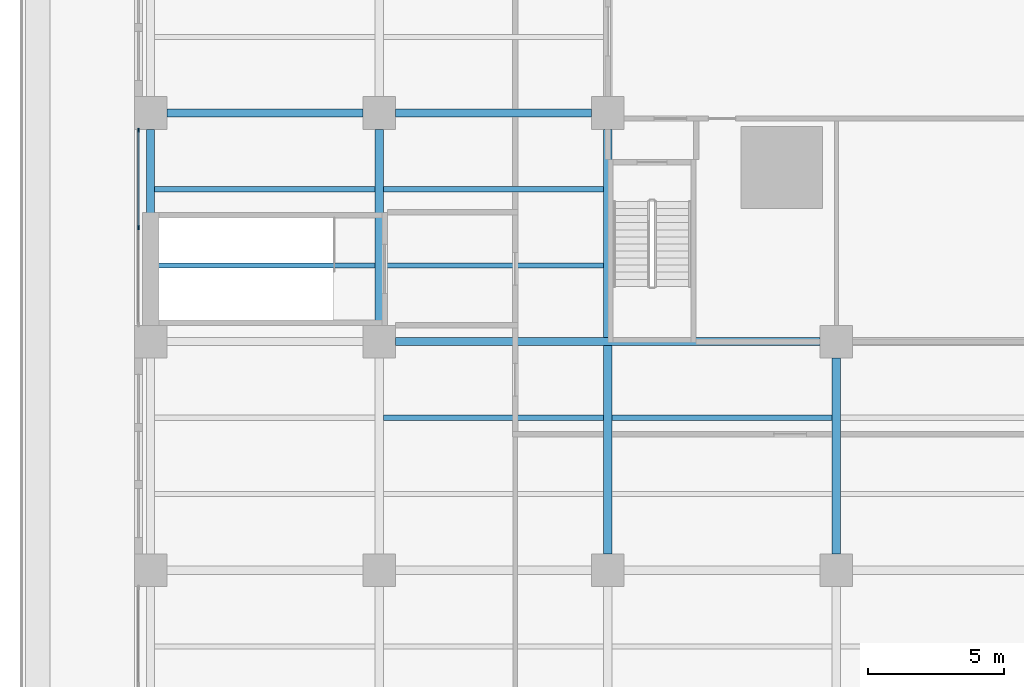
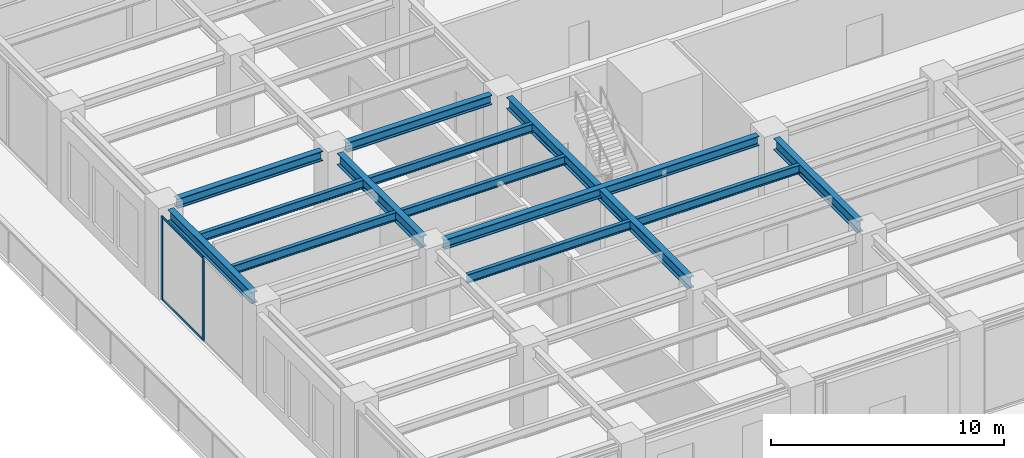
# One storey, part 3 of 53: 13 beams, 4 members, 1 element without a shape of its own.
"""IFC4 building model written with IfcOpenShell, lengths in metres."""

from ifc_helpers import new_model, si_unit, direction, frame, origin, origin_2d, place, context, subcontext, project, spatial, rectangle, i_section, extrude, material, material_profile, profile_set, type_object, element, aggregate, save


model = new_model("IFC4")

# Units and contexts
model_context = context("Model", 3, precision=1e-05, world=origin(), true_north=direction((0.0, 1.0)))
body_context = subcontext(model_context, "Body", "Model", "MODEL_VIEW")
ifc_project = project(units=[si_unit("LENGTHUNIT", "METRE"), si_unit("AREAUNIT", "SQUARE_METRE"), si_unit("VOLUMEUNIT", "CUBIC_METRE"), si_unit("PLANEANGLEUNIT", "RADIAN"), si_unit("MASSUNIT", "GRAM", prefix="KILO")], contexts=[model_context])

# Site, building, storey
site_placement = place(None, origin())
site = spatial("IfcSite", under=ifc_project, at=site_placement, CompositionType="ELEMENT")
building_placement = place(site_placement, origin())
building = spatial("IfcBuilding", under=site, at=building_placement, Name="Khepri Terraces", CompositionType="ELEMENT")
storey_placement = place(building_placement, frame((0.0, 0.0, 7.199951171875)))
storey = spatial("IfcBuildingStorey", under=building, at=storey_placement, Name="L01", CompositionType="ELEMENT", Elevation=7.199951171875)

# Curtain wall, members
ifc_material_1 = material(Name="Anodised aluminium bronze curtain wall", Category="aluminium")
curtain_wall_type = type_object("IfcCurtainWallType", Name="CW-SYS2-PODIUM", PredefinedType="NOTDEFINED", material=ifc_material_1)
curtain_wall_placement = place(storey_placement, origin())
curtain_wall = element("IfcCurtainWall", 1, at=curtain_wall_placement, inside=storey, type_object=curtain_wall_type, Name="Curtain wall CW2 L01 W", PredefinedType="NOTDEFINED")
ifc_material_2 = material(Name="Anodised aluminium bronze", Category="aluminium")
ifc_material_profile_1 = material_profile(ifc_material_2, rectangle(XDim=0.06005859375, YDim=0.159912109375, at=origin_2d()), Name="Anodised aluminium bronze", Category="aluminium")
ifc_profile_set_1 = profile_set([ifc_material_profile_1], Name="Anodised aluminium bronze")
member_type_1 = type_object("IfcMemberType", Name="CW-MULLION-60x160", PredefinedType="MULLION", material=ifc_profile_set_1)
member_1_placement = place(storey_placement, frame((-42.449951171875, -17.429931640625, 0.0), z_axis=(0.0, 0.0, 1.0), x_axis=(1.0, 0.0, 0.0)))
member_1 = element("IfcMember", 2, at=member_1_placement, type_object=member_type_1, Name="CW2 mullion 1", PredefinedType="MULLION", context=body_context, shape_type="SweptSolid", body=[
    extrude(rectangle(XDim=0.06005859375, YDim=0.159912109375, at=origin_2d()), origin(), (0.0, 0.0, 1.0), 4.380126953125),
])
member_2_placement = place(storey_placement, frame((-42.449951171875, -21.0, 0.0), z_axis=(0.0, 0.0, 1.0), x_axis=(1.0, 0.0, 0.0)))
member_2 = element("IfcMember", 3, at=member_2_placement, type_object=member_type_1, Name="CW2 mullion 2", PredefinedType="MULLION", context=body_context, shape_type="SweptSolid", body=[
    extrude(rectangle(XDim=0.06005859375, YDim=0.159912109375, at=origin_2d()), origin(), (0.0, 0.0, 1.0), 4.380126953125),
])
ifc_material_profile_2 = material_profile(ifc_material_2, rectangle(XDim=0.06005859375, YDim=0.1201171875, at=origin_2d()), Name="Anodised aluminium bronze", Category="aluminium")
ifc_profile_set_2 = profile_set([ifc_material_profile_2], Name="Anodised aluminium bronze")
member_type_2 = type_object("IfcMemberType", Name="CW-TRANSOM-60x120", PredefinedType="USERDEFINED", material=ifc_profile_set_2)
member_3_placement = place(storey_placement, frame((-42.449951171875, -17.4599609375, 0.030029296875), z_axis=(0.0, -1.0, 0.0), x_axis=(1.0, 0.0, 0.0)))
member_3 = element("IfcMember", 4, at=member_3_placement, type_object=member_type_2, Name="CW2 transom 1.1", ObjectType="TRANSOM", PredefinedType="USERDEFINED", context=body_context, shape_type="SweptSolid", body=[
    extrude(rectangle(XDim=0.06005859375, YDim=0.1201171875, at=origin_2d()), origin(), (0.0, 0.0, 1.0), 3.510009765625),
])
member_4_placement = place(storey_placement, frame((-42.449951171875, -17.4599609375, 4.35009765625), z_axis=(0.0, -1.0, 0.0), x_axis=(1.0, 0.0, 0.0)))
member_4 = element("IfcMember", 5, at=member_4_placement, type_object=member_type_2, Name="CW2 transom 1.2", ObjectType="TRANSOM", PredefinedType="USERDEFINED", context=body_context, shape_type="SweptSolid", body=[
    extrude(rectangle(XDim=0.06005859375, YDim=0.1201171875, at=origin_2d()), origin(), (0.0, 0.0, 1.0), 3.510009765625),
])
aggregate(curtain_wall, [member_1, member_2, member_3, member_4])

# Beams
ifc_material_3 = material(Name="Steel S355", Category="steel")
ifc_material_profile_3 = material_profile(ifc_material_3, i_section(OverallWidth=0.300048828125, OverallDepth=0.60009765625, WebThickness=0.015380859375, FlangeThickness=0.030029296875, FilletRadius=0.027099609375, at=origin_2d()), Name="Steel S355", Category="steel")
ifc_profile_set_3 = profile_set([ifc_material_profile_3], Name="Steel S355")
beam_type_1 = type_object("IfcBeamType", Name="Podium girder L02 HEB 600", PredefinedType="BEAM", material=ifc_profile_set_3)
for number, where, z_axis, x_axis, name in (
    (6, (-42.0, -24.60009765625, 4.300048828125), (0.0, 1.0, 0.0), (-1.0, 0.0, 0.0), "Podium girder L02 003"),
    (7, (-33.60009765625, -24.60009765625, 4.300048828125), (0.0, 1.0, 0.0), (-1.0, 0.0, 0.0), "Podium girder L02 013"),
):
    element("IfcBeam", number, at=place(storey_placement, frame(where, z_axis=z_axis, x_axis=x_axis)), inside=storey, type_object=beam_type_1, Name=name, PredefinedType="BEAM", context=body_context, shape_type="SweptSolid", body=[
        extrude(i_section(OverallWidth=0.300048828125, OverallDepth=0.60009765625, WebThickness=0.015380859375, FlangeThickness=0.030029296875, FilletRadius=0.027099609375, at=origin_2d()), origin(), (0.0, 0.0, 1.0), 7.2001953125),
    ])
beam_1_placement = place(storey_placement, frame((-25.199951171875, -33.0, 4.300048828125), z_axis=(0.0, 1.0, 0.0), x_axis=(-1.0, 0.0, 0.0)))
element("IfcBeam", 8, at=beam_1_placement, inside=storey, type_object=beam_type_1, Name="Podium girder L02 022", PredefinedType="BEAM", context=body_context, shape_type="SweptSolid", body=[
    extrude(i_section(OverallWidth=0.300048828125, OverallDepth=0.60009765625, WebThickness=0.015380859375, FlangeThickness=0.030029296875, FilletRadius=0.027099609375, at=origin_2d()), origin(), (0.0, 0.0, 1.0), 15.60009765625),
])
beam_2_placement = place(storey_placement, frame((-16.800048828125, -33.0, 4.300048828125), z_axis=(0.0, 1.0, 0.0), x_axis=(-1.0, 0.0, 0.0)))
element("IfcBeam", 9, at=beam_2_placement, inside=storey, type_object=beam_type_1, Name="Podium girder L02 030", PredefinedType="BEAM", context=body_context, shape_type="SweptSolid", body=[
    extrude(i_section(OverallWidth=0.300048828125, OverallDepth=0.60009765625, WebThickness=0.015380859375, FlangeThickness=0.030029296875, FilletRadius=0.027099609375, at=origin_2d()), origin(), (0.0, 0.0, 1.0), 7.199951171875),
])
ifc_material_profile_4 = material_profile(ifc_material_3, i_section(OverallWidth=0.300048828125, OverallDepth=0.5, WebThickness=0.014404296875, FlangeThickness=0.028076171875, FilletRadius=0.027099609375, at=origin_2d()), Name="Steel S355", Category="steel")
ifc_profile_set_4 = profile_set([ifc_material_profile_4], Name="Steel S355")
beam_type_2 = type_object("IfcBeamType", Name="Podium girder L02 grid line HEB 500", PredefinedType="BEAM", material=ifc_profile_set_4)
beam_3_placement = place(storey_placement, frame((-33.0, -25.199951171875, 4.35009765625), z_axis=(1.0, 0.0, 0.0), x_axis=(0.0, 1.0, 0.0)))
element("IfcBeam", 10, at=beam_3_placement, inside=storey, type_object=beam_type_2, Name="Podium grid-line girder L02 062", PredefinedType="BEAM", context=body_context, shape_type="SweptSolid", body=[
    extrude(i_section(OverallWidth=0.300048828125, OverallDepth=0.5, WebThickness=0.014404296875, FlangeThickness=0.028076171875, FilletRadius=0.027099609375, at=origin_2d()), origin(), (0.0, 0.0, 1.0), 15.60009765625),
])
for number, where, z_axis, x_axis, name in (
    (11, (-41.39990234375, -16.800048828125, 4.35009765625), (1.0, 0.0, 0.0), (0.0, 1.0, 0.0), "Podium grid-line girder L02 077"),
    (12, (-33.0, -16.800048828125, 4.35009765625), (1.0, 0.0, 0.0), (0.0, 1.0, 0.0), "Podium grid-line girder L02 078"),
):
    element("IfcBeam", number, at=place(storey_placement, frame(where, z_axis=z_axis, x_axis=x_axis)), inside=storey, type_object=beam_type_2, Name=name, PredefinedType="BEAM", context=body_context, shape_type="SweptSolid", body=[
        extrude(i_section(OverallWidth=0.300048828125, OverallDepth=0.5, WebThickness=0.014404296875, FlangeThickness=0.028076171875, FilletRadius=0.027099609375, at=origin_2d()), origin(), (0.0, 0.0, 1.0), 7.199951171875),
    ])
ifc_material_profile_5 = material_profile(ifc_material_3, i_section(OverallWidth=0.18994140625, OverallDepth=0.449951171875, WebThickness=0.009521484375, FlangeThickness=0.0146484375, FilletRadius=0.02099609375, at=origin_2d()), Name="Steel S355", Category="steel")
ifc_profile_set_5 = profile_set([ifc_material_profile_5], Name="Steel S355")
beam_type_3 = type_object("IfcBeamType", Name="Podium joist L02 IPE 450", PredefinedType="JOIST", material=ifc_profile_set_5)
beam_4_placement = place(storey_placement, frame((-33.449951171875, -28.0, 4.375), z_axis=(1.0, 0.0, 0.0), x_axis=(0.0, 1.0, 0.0)))
element("IfcBeam", 13, at=beam_4_placement, inside=storey, type_object=beam_type_3, Name="Podium joist L02 052", PredefinedType="JOIST", context=body_context, shape_type="SweptSolid", body=[
    extrude(i_section(OverallWidth=0.18994140625, OverallDepth=0.449951171875, WebThickness=0.009521484375, FlangeThickness=0.0146484375, FilletRadius=0.02099609375, at=origin_2d()), origin(), (0.0, 0.0, 1.0), 8.099853515625),
])
for number, where, z_axis, x_axis, name in (
    (14, (-25.050048828125, -28.0, 4.375), (1.0, 0.0, 0.0), (0.0, 1.0, 0.0), "Podium joist L02 053"),
    (15, (-41.85009765625, -22.39990234375, 4.375), (1.0, 0.0, 0.0), (0.0, 1.0, 0.0), "Podium joist L02 069"),
):
    element("IfcBeam", number, at=place(storey_placement, frame(where, z_axis=z_axis, x_axis=x_axis)), inside=storey, type_object=beam_type_3, Name=name, PredefinedType="JOIST", context=body_context, shape_type="SweptSolid", body=[
        extrude(i_section(OverallWidth=0.18994140625, OverallDepth=0.449951171875, WebThickness=0.009521484375, FlangeThickness=0.0146484375, FilletRadius=0.02099609375, at=origin_2d()), origin(), (0.0, 0.0, 1.0), 8.10009765625),
    ])
beam_5_placement = place(storey_placement, frame((-33.449951171875, -22.39990234375, 4.375), z_axis=(1.0, 0.0, 0.0), x_axis=(0.0, 1.0, 0.0)))
element("IfcBeam", 16, at=beam_5_placement, inside=storey, type_object=beam_type_3, Name="Podium joist L02 070", PredefinedType="JOIST", context=body_context, shape_type="SweptSolid", body=[
    extrude(i_section(OverallWidth=0.18994140625, OverallDepth=0.449951171875, WebThickness=0.009521484375, FlangeThickness=0.0146484375, FilletRadius=0.02099609375, at=origin_2d()), origin(), (0.0, 0.0, 1.0), 8.099853515625),
])
beam_6_placement = place(storey_placement, frame((-41.85009765625, -19.60009765625, 4.375), z_axis=(1.0, 0.0, 0.0), x_axis=(0.0, 1.0, 0.0)))
element("IfcBeam", 17, at=beam_6_placement, inside=storey, type_object=beam_type_3, Name="Podium joist L02 073", PredefinedType="JOIST", context=body_context, shape_type="SweptSolid", body=[
    extrude(i_section(OverallWidth=0.18994140625, OverallDepth=0.449951171875, WebThickness=0.009521484375, FlangeThickness=0.0146484375, FilletRadius=0.02099609375, at=origin_2d()), origin(), (0.0, 0.0, 1.0), 8.10009765625),
])
beam_7_placement = place(storey_placement, frame((-33.449951171875, -19.60009765625, 4.375), z_axis=(1.0, 0.0, 0.0), x_axis=(0.0, 1.0, 0.0)))
element("IfcBeam", 18, at=beam_7_placement, inside=storey, type_object=beam_type_3, Name="Podium joist L02 074", PredefinedType="JOIST", context=body_context, shape_type="SweptSolid", body=[
    extrude(i_section(OverallWidth=0.18994140625, OverallDepth=0.449951171875, WebThickness=0.009521484375, FlangeThickness=0.0146484375, FilletRadius=0.02099609375, at=origin_2d()), origin(), (0.0, 0.0, 1.0), 8.099853515625),
])

save(model, "model.ifc")
